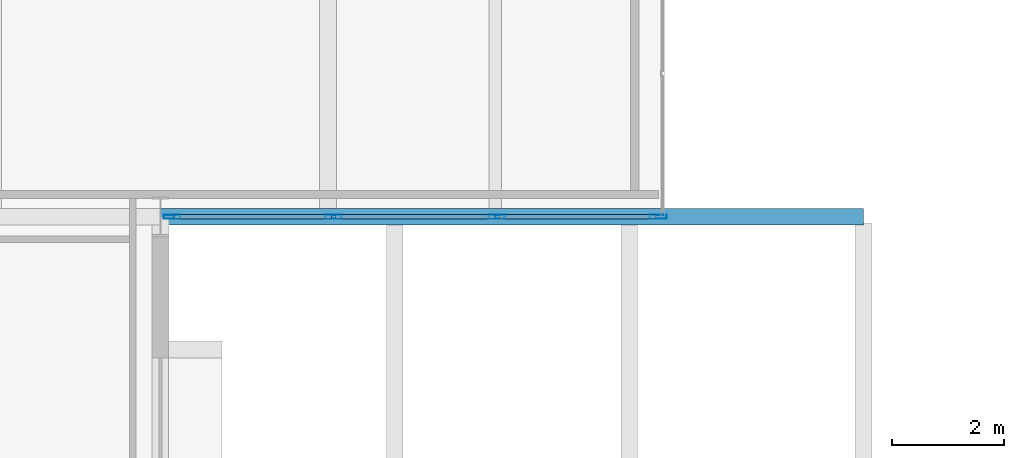
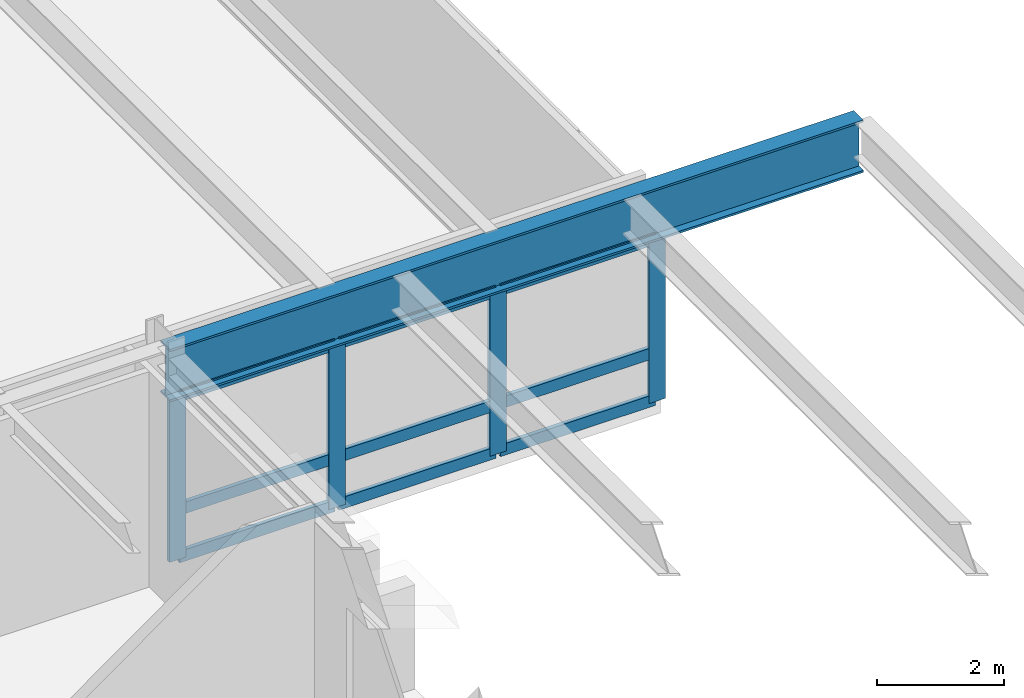
# One storey, part 36 of 115: 13 members, 1 beam, 1 element without a shape of its own.
"""IFC4 building model written with IfcOpenShell, lengths in metres."""

from ifc_helpers import new_model, si_unit, direction, frame, origin, origin_2d, place, context, subcontext, project, spatial, hollow_rectangle, i_section, extrude, material, layer, layer_set, material_profile, profile_set, type_object, element, aggregate, save


model = new_model("IFC4")

# Units and contexts
model_context = context("Model", 3, precision=1e-05, world=origin(), true_north=direction((0.0, 1.0)))
body_context = subcontext(model_context, "Body", "Model", "MODEL_VIEW")
ifc_project = project(units=[si_unit("LENGTHUNIT", "METRE"), si_unit("AREAUNIT", "SQUARE_METRE"), si_unit("VOLUMEUNIT", "CUBIC_METRE"), si_unit("PLANEANGLEUNIT", "RADIAN"), si_unit("MASSUNIT", "GRAM", prefix="KILO")], contexts=[model_context])

# Site, building, storey
site_placement = place(None, origin())
site = spatial("IfcSite", under=ifc_project, at=site_placement, CompositionType="ELEMENT")
building_placement = place(site_placement, origin())
building = spatial("IfcBuilding", under=site, at=building_placement, Name="Montelvaro Courts of Justice", CompositionType="ELEMENT")
storey_placement = place(building_placement, frame((0.0, 0.0, 9.89990234375)))
storey = spatial("IfcBuildingStorey", under=building, at=storey_placement, Name="L02", CompositionType="ELEMENT", Elevation=9.89990234375)

# Beam
ifc_material_1 = material(Name="Steel S355", Category="steel")
ifc_material_profile_1 = material_profile(ifc_material_1, i_section(OverallWidth=0.302001953125, OverallDepth=1.008056640625, WebThickness=0.02099609375, FlangeThickness=0.0400390625, at=origin_2d()), Name="HEM 1000")
ifc_profile_set_1 = profile_set([ifc_material_profile_1], Name="Steel S355")
beam_type = type_object("IfcBeamType", Name="Beam_HEM1000", PredefinedType="USERDEFINED", material=ifc_profile_set_1)
beam_placement = place(storey_placement, frame((135.0, 24.0, 3.676025390625), z_axis=(1.0, 0.0, 0.0), x_axis=(0.0, 1.0, 0.0)))
element("IfcBeam", 1, at=beam_placement, inside=storey, type_object=beam_type, Name="Pratt Cantilever Truss Chord CTR-BAR2-N-L03-OVH", ObjectType="GIRDER", PredefinedType="USERDEFINED", context=body_context, shape_type="SweptSolid", body=[
    extrude(i_section(OverallWidth=0.302001953125, OverallDepth=1.008056640625, WebThickness=0.02099609375, FlangeThickness=0.0400390625, at=origin_2d()), origin(), (0.0, 0.0, 1.0), 12.60009765625),
])

# Curtain wall, members
ifc_material_2 = material(Name="Anodised aluminium EN AW-6063", Category="aluminium")
ifc_layer = layer(ifc_material_2, 0.159912109375)
ifc_layer_set = layer_set([ifc_layer], Name="Anodised aluminium EN AW-6063")
curtain_wall_type = type_object("IfcCurtainWallType", Name="CurtainWall_25_879x418", PredefinedType="USERDEFINED", material=ifc_layer_set)
curtain_wall_placement = place(storey_placement, origin())
curtain_wall = element("IfcCurtainWall", 2, at=curtain_wall_placement, inside=storey, type_object=curtain_wall_type, Name="Curtain Wall CW-25 (L02)", ObjectType="CURTAIN WALL", PredefinedType="USERDEFINED")
ifc_material_profile_2 = material_profile(ifc_material_2, hollow_rectangle(XDim=0.074951171875, YDim=0.300048828125, WallThickness=0.006103515625, at=origin_2d()), Name="ALU-M 75x300")
ifc_profile_set_2 = profile_set([ifc_material_profile_2], Name="Anodised aluminium EN AW-6063")
member_type_1 = type_object("IfcMemberType", Name="CurtainWall_Mullion_75x300", PredefinedType="MULLION", material=ifc_profile_set_2)
member_1_placement = place(storey_placement, frame((135.20458984375, 24.0, 0.0), z_axis=(0.0, 0.0, 1.0), x_axis=(0.0, 1.0, 0.0)))
member_1 = element("IfcMember", 3, at=member_1_placement, type_object=member_type_1, Name="CW-25 mullion 1", PredefinedType="MULLION", context=body_context, shape_type="SweptSolid", body=[
    extrude(hollow_rectangle(XDim=0.074951171875, YDim=0.300048828125, WallThickness=0.006103515625, at=origin_2d()), origin(), (0.0, 0.0, 1.0), 3.1669921875),
])
member_2_placement = place(storey_placement, frame((138.097900390625, 24.0, 0.0), z_axis=(0.0, 0.0, 1.0), x_axis=(0.0, 1.0, 0.0)))
member_2 = element("IfcMember", 4, at=member_2_placement, type_object=member_type_1, Name="CW-25 mullion 2", PredefinedType="MULLION", context=body_context, shape_type="SweptSolid", body=[
    extrude(hollow_rectangle(XDim=0.074951171875, YDim=0.300048828125, WallThickness=0.006103515625, at=origin_2d()), origin(), (0.0, 0.0, 1.0), 3.1669921875),
])
member_3_placement = place(storey_placement, frame((141.029052734375, 24.0, 0.0), z_axis=(0.0, 0.0, 1.0), x_axis=(0.0, 1.0, 0.0)))
member_3 = element("IfcMember", 5, at=member_3_placement, type_object=member_type_1, Name="CW-25 mullion 3", PredefinedType="MULLION", context=body_context, shape_type="SweptSolid", body=[
    extrude(hollow_rectangle(XDim=0.074951171875, YDim=0.300048828125, WallThickness=0.006103515625, at=origin_2d()), origin(), (0.0, 0.0, 1.0), 3.1669921875),
])
member_4_placement = place(storey_placement, frame((143.922607421875, 24.0, 0.0), z_axis=(0.0, 0.0, 1.0), x_axis=(0.0, 1.0, 0.0)))
member_4 = element("IfcMember", 6, at=member_4_placement, type_object=member_type_1, Name="CW-25 mullion 4", PredefinedType="MULLION", context=body_context, shape_type="SweptSolid", body=[
    extrude(hollow_rectangle(XDim=0.074951171875, YDim=0.300048828125, WallThickness=0.006103515625, at=origin_2d()), origin(), (0.0, 0.0, 1.0), 3.1669921875),
])
ifc_material_profile_3 = material_profile(ifc_material_2, hollow_rectangle(XDim=0.074951171875, YDim=0.219970703125, WallThickness=0.005615234375, at=origin_2d()), Name="ALU-T 75x220")
ifc_profile_set_3 = profile_set([ifc_material_profile_3], Name="Anodised aluminium EN AW-6063")
member_type_2 = type_object("IfcMemberType", Name="CurtainWall_Transom_75x220", PredefinedType="USERDEFINED", material=ifc_profile_set_3)
member_5_placement = place(storey_placement, frame((135.241943359375, 24.0, 0.03759765625), z_axis=(1.0, 0.0, 0.0), x_axis=(0.0, 1.0, 0.0)))
member_5 = element("IfcMember", 7, at=member_5_placement, type_object=member_type_2, Name="CW-25 transom 1.1", ObjectType="TRANSOM", PredefinedType="USERDEFINED", context=body_context, shape_type="SweptSolid", body=[
    extrude(hollow_rectangle(XDim=0.074951171875, YDim=0.219970703125, WallThickness=0.005615234375, at=origin_2d()), origin(), (0.0, 0.0, 1.0), 2.818603515625),
])
member_6_placement = place(storey_placement, frame((135.241943359375, 24.0, 0.9501953125), z_axis=(1.0, 0.0, 0.0), x_axis=(0.0, 1.0, 0.0)))
member_6 = element("IfcMember", 8, at=member_6_placement, type_object=member_type_2, Name="CW-25 transom 1.2", ObjectType="TRANSOM", PredefinedType="USERDEFINED", context=body_context, shape_type="SweptSolid", body=[
    extrude(hollow_rectangle(XDim=0.074951171875, YDim=0.219970703125, WallThickness=0.005615234375, at=origin_2d()), origin(), (0.0, 0.0, 1.0), 2.818603515625),
])
member_7_placement = place(storey_placement, frame((135.241943359375, 24.0, 3.129638671875), z_axis=(1.0, 0.0, 0.0), x_axis=(0.0, 1.0, 0.0)))
member_7 = element("IfcMember", 9, at=member_7_placement, type_object=member_type_2, Name="CW-25 transom 1.3", ObjectType="TRANSOM", PredefinedType="USERDEFINED", context=body_context, shape_type="SweptSolid", body=[
    extrude(hollow_rectangle(XDim=0.074951171875, YDim=0.219970703125, WallThickness=0.005615234375, at=origin_2d()), origin(), (0.0, 0.0, 1.0), 2.818603515625),
])
member_8_placement = place(storey_placement, frame((138.135498046875, 24.0, 0.03759765625), z_axis=(1.0, 0.0, 0.0), x_axis=(0.0, 1.0, 0.0)))
member_8 = element("IfcMember", 10, at=member_8_placement, type_object=member_type_2, Name="CW-25 transom 2.1", ObjectType="TRANSOM", PredefinedType="USERDEFINED", context=body_context, shape_type="SweptSolid", body=[
    extrude(hollow_rectangle(XDim=0.074951171875, YDim=0.219970703125, WallThickness=0.005615234375, at=origin_2d()), origin(), (0.0, 0.0, 1.0), 2.85595703125),
])
member_9_placement = place(storey_placement, frame((138.135498046875, 24.0, 0.9501953125), z_axis=(1.0, 0.0, 0.0), x_axis=(0.0, 1.0, 0.0)))
member_9 = element("IfcMember", 11, at=member_9_placement, type_object=member_type_2, Name="CW-25 transom 2.2", ObjectType="TRANSOM", PredefinedType="USERDEFINED", context=body_context, shape_type="SweptSolid", body=[
    extrude(hollow_rectangle(XDim=0.074951171875, YDim=0.219970703125, WallThickness=0.005615234375, at=origin_2d()), origin(), (0.0, 0.0, 1.0), 2.85595703125),
])
member_10_placement = place(storey_placement, frame((138.135498046875, 24.0, 3.129638671875), z_axis=(1.0, 0.0, 0.0), x_axis=(0.0, 1.0, 0.0)))
member_10 = element("IfcMember", 12, at=member_10_placement, type_object=member_type_2, Name="CW-25 transom 2.3", ObjectType="TRANSOM", PredefinedType="USERDEFINED", context=body_context, shape_type="SweptSolid", body=[
    extrude(hollow_rectangle(XDim=0.074951171875, YDim=0.219970703125, WallThickness=0.005615234375, at=origin_2d()), origin(), (0.0, 0.0, 1.0), 2.85595703125),
])
member_11_placement = place(storey_placement, frame((141.06640625, 24.0, 0.03759765625), z_axis=(1.0, 0.0, 0.0), x_axis=(0.0, 1.0, 0.0)))
member_11 = element("IfcMember", 13, at=member_11_placement, type_object=member_type_2, Name="CW-25 transom 3.1", ObjectType="TRANSOM", PredefinedType="USERDEFINED", context=body_context, shape_type="SweptSolid", body=[
    extrude(hollow_rectangle(XDim=0.074951171875, YDim=0.219970703125, WallThickness=0.005615234375, at=origin_2d()), origin(), (0.0, 0.0, 1.0), 2.818603515625),
])
member_12_placement = place(storey_placement, frame((141.06640625, 24.0, 0.9501953125), z_axis=(1.0, 0.0, 0.0), x_axis=(0.0, 1.0, 0.0)))
member_12 = element("IfcMember", 14, at=member_12_placement, type_object=member_type_2, Name="CW-25 transom 3.2", ObjectType="TRANSOM", PredefinedType="USERDEFINED", context=body_context, shape_type="SweptSolid", body=[
    extrude(hollow_rectangle(XDim=0.074951171875, YDim=0.219970703125, WallThickness=0.005615234375, at=origin_2d()), origin(), (0.0, 0.0, 1.0), 2.818603515625),
])
member_13_placement = place(storey_placement, frame((141.06640625, 24.0, 3.129638671875), z_axis=(1.0, 0.0, 0.0), x_axis=(0.0, 1.0, 0.0)))
member_13 = element("IfcMember", 15, at=member_13_placement, type_object=member_type_2, Name="CW-25 transom 3.3", ObjectType="TRANSOM", PredefinedType="USERDEFINED", context=body_context, shape_type="SweptSolid", body=[
    extrude(hollow_rectangle(XDim=0.074951171875, YDim=0.219970703125, WallThickness=0.005615234375, at=origin_2d()), origin(), (0.0, 0.0, 1.0), 2.818603515625),
])
aggregate(curtain_wall, [member_1, member_2, member_3, member_4, member_5, member_6, member_7, member_8, member_9, member_10, member_11, member_12, member_13])

save(model, "model.ifc")
